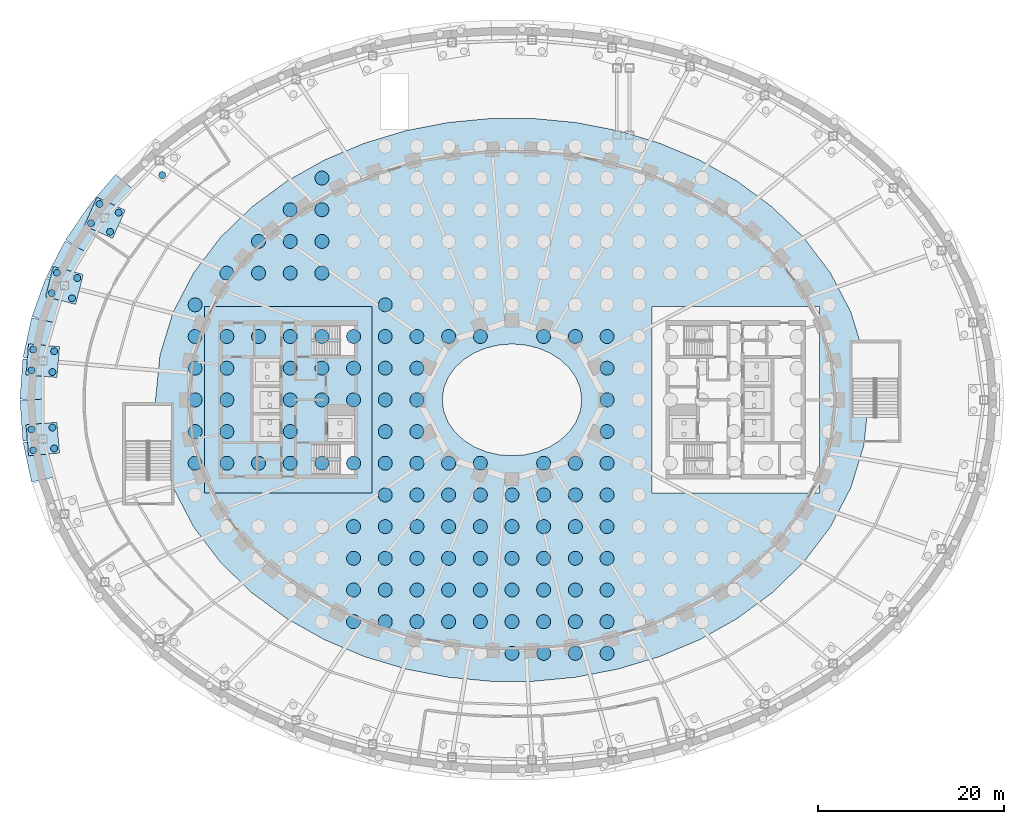
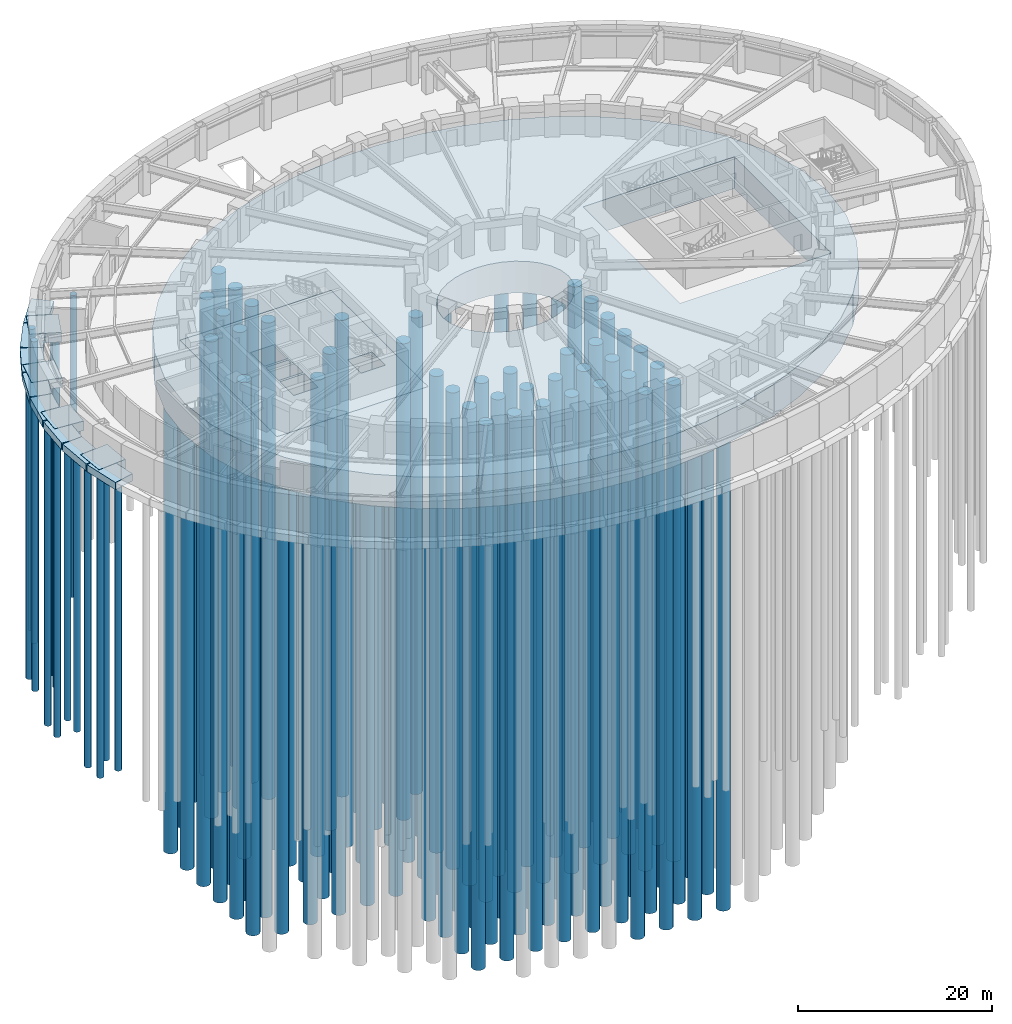
# One storey, part 2 of 19: 125 piles, 14 footings.
"""IFC4 building model written with IfcOpenShell, lengths in metres."""

import ifcopenshell
import ifcopenshell.guid

model = None  # the IFC model being written
_history = None  # IfcOwnerHistory: only IFC2X3 demands one
_inside = {}  # id of a spatial element -> (the spatial element, [elements in it])
_under = {}  # id of a project, library or spatial element -> (it, [spatial elements below it])
_declared = {}  # id of a project -> (the project, [libraries it declares])
_typed = {}  # id of a type object -> (the type object, [elements of that type])
_made_of = {}  # id of a material, layer set ... -> (it, [elements and type objects made of it])


def new_model(schema):
    """Start an empty IFC model of exactly this schema.

    Asked for "IFC4X3", IfcOpenShell would pick the latest addendum, in which some entities
    have other attributes; the version numbers below select the first issue.
    IFC2X3 requires an IfcOwnerHistory on every rooted entity: one is made here for all.
    """
    global model, _history
    if schema == "IFC4X3":
        model = ifcopenshell.file(schema_version=(4, 3, 0, 0))
    else:
        model = ifcopenshell.file(schema=schema)
    _inside.clear()
    _under.clear()
    _declared.clear()
    _typed.clear()
    _made_of.clear()
    _history = None
    if model.schema == "IFC2X3":
        org = make("IfcOrganization", Name="unknown")
        user = make(
            "IfcPersonAndOrganization",
            ThePerson=make("IfcPerson", FamilyName="unknown"),
            TheOrganization=org,
        )
        app = make(
            "IfcApplication",
            ApplicationDeveloper=org,
            Version="unknown",
            ApplicationFullName="unknown",
            ApplicationIdentifier="unknown",
        )
        _history = make(
            "IfcOwnerHistory",
            OwningUser=user,
            OwningApplication=app,
            ChangeAction="ADDED",
            CreationDate=0,
        )
    return model


def make(cls, **values):
    """One entity of the class cls with the attributes given. An attribute that is None is left unset."""
    return model.create_entity(
        cls, **{name: value for name, value in values.items() if value is not None}
    )


def rooted(cls, **values):
    """An entity with a GlobalId (a new one), such as an element, a storey or a relation."""
    return make(cls, GlobalId=ifcopenshell.guid.new(), OwnerHistory=_history, **values)


def si_unit(unit_type, name, prefix=None):
    """IfcSIUnit, for example si_unit("LENGTHUNIT", "METRE", prefix="MILLI")."""
    return make("IfcSIUnit", UnitType=unit_type, Prefix=prefix, Name=name)


def assignment(units):
    """IfcUnitAssignment: the units of a project."""
    return None if units is None else make("IfcUnitAssignment", Units=units)


def point(xyz):
    """IfcCartesianPoint."""
    return None if xyz is None else make("IfcCartesianPoint", Coordinates=xyz)


def direction(xyz):
    """IfcDirection."""
    return None if xyz is None else make("IfcDirection", DirectionRatios=xyz)


def frame(location, z_axis=None, x_axis=None):
    """IfcAxis2Placement3D, a coordinate frame: its origin and axes. An axis left out is left unset."""
    return make(
        "IfcAxis2Placement3D",
        Location=point(location),
        Axis=direction(z_axis),
        RefDirection=direction(x_axis),
    )


def frame_2d(location, x_axis=None):
    """IfcAxis2Placement2D, a coordinate frame in the plane: its origin and x axis."""
    return make(
        "IfcAxis2Placement2D", Location=point(location), RefDirection=direction(x_axis)
    )


def origin():
    """The frame at (0, 0, 0) with its axes left unset."""
    return frame((0.0, 0.0, 0.0))


def origin_2d():
    """The frame at (0, 0) in the plane with its x axis left unset."""
    return frame_2d((0.0, 0.0))


def place(relative_to, where):
    """IfcLocalPlacement: puts the frame where relative to a parent placement (None: the world)."""
    return make(
        "IfcLocalPlacement", PlacementRelTo=relative_to, RelativePlacement=where
    )


def context(
    kind, dimensions, precision=None, world=None, true_north=None, identifier=None
):
    """IfcGeometricRepresentationContext, for example the 3D "Model" context."""
    return make(
        "IfcGeometricRepresentationContext",
        ContextIdentifier=identifier,
        ContextType=kind,
        CoordinateSpaceDimension=dimensions,
        Precision=precision,
        WorldCoordinateSystem=world,
        TrueNorth=true_north,
    )


def subcontext(parent, identifier, kind, view, scale=None):
    """IfcGeometricRepresentationSubContext, for example "Body" below "Model"."""
    return make(
        "IfcGeometricRepresentationSubContext",
        ContextIdentifier=identifier,
        ContextType=kind,
        ParentContext=parent,
        TargetScale=scale,
        TargetView=view,
    )


def project(units=None, contexts=None):
    """IfcProject with its units and contexts."""
    return rooted(
        "IfcProject",
        Name="project",
        RepresentationContexts=contexts,
        UnitsInContext=assignment(units),
    )


def spatial(cls, under=None, at=None, **own):
    """A site, building, storey or space (cls), placed at a placement, below another one or the project."""
    s = rooted(cls, ObjectPlacement=at, **own)
    if under is not None:
        _under.setdefault(under.id(), (under, []))[1].append(s)
    return s


def polyline(points):
    """IfcPolyline through the points."""
    return make("IfcPolyline", Points=[point(p) for p in points])


def profile(cls, at=None, kind="AREA", **sizes):
    """A parametric profile (cls). Its sizes go by their IFC names, for example OverallWidth=200.0."""
    return make(cls, ProfileType=kind, Position=at, **sizes)


def circle(**sizes):
    """IfcCircleProfileDef."""
    return profile("IfcCircleProfileDef", **sizes)


def outline(outer, holes=None, kind="AREA"):
    """IfcArbitraryClosedProfileDef: a profile drawn as a closed curve; with holes, ...WithVoids."""
    if holes is None:
        return make("IfcArbitraryClosedProfileDef", ProfileType=kind, OuterCurve=outer)
    return make(
        "IfcArbitraryProfileDefWithVoids",
        ProfileType=kind,
        OuterCurve=outer,
        InnerCurves=holes,
    )


def extrude(swept, where, along, depth):
    """IfcExtrudedAreaSolid: the profile swept, set in the frame where, extruded along a direction by depth."""
    return make(
        "IfcExtrudedAreaSolid",
        SweptArea=swept,
        Position=where,
        ExtrudedDirection=direction(along),
        Depth=depth,
    )


def shape(context_of_items, identifier, shape_type, items):
    """IfcShapeRepresentation: the items that make up one representation, for example the "Body"."""
    return make(
        "IfcShapeRepresentation",
        ContextOfItems=context_of_items,
        RepresentationIdentifier=identifier,
        RepresentationType=shape_type,
        Items=items,
    )


def material(Name=None, Category=None):
    """IfcMaterial."""
    return make("IfcMaterial", Name=Name, Category=Category)


def layer(
    of_material, thickness, ventilated=None, Name=None, Category=None, Priority=None
):
    """IfcMaterialLayer: one layer of a wall or slab, of a material (None: an air gap)."""
    return make(
        "IfcMaterialLayer",
        Material=of_material,
        LayerThickness=thickness,
        IsVentilated=ventilated,
        Name=Name,
        Category=Category,
        Priority=Priority,
    )


def layer_set(layers, Name=None):
    """IfcMaterialLayerSet."""
    return make("IfcMaterialLayerSet", MaterialLayers=layers, LayerSetName=Name)


def material_profile(
    of_material, cross_section, Name=None, Category=None, Priority=None
):
    """IfcMaterialProfile: a cross section and its material."""
    return make(
        "IfcMaterialProfile",
        Name=Name,
        Material=of_material,
        Profile=cross_section,
        Priority=Priority,
        Category=Category,
    )


def profile_set(profiles, Name=None, composite=None):
    """IfcMaterialProfileSet."""
    return make(
        "IfcMaterialProfileSet",
        Name=Name,
        MaterialProfiles=profiles,
        CompositeProfile=composite,
    )


def made_of(thing, what):
    """Note that an element or type object is made of a material, layer set ...; save() writes the relation."""
    if what is not None:
        _made_of.setdefault(what.id(), (what, []))[1].append(thing)
    return thing


def type_object(cls, material=None, **own):
    """A type object (cls), such as IfcWallType, which elements share."""
    return made_of(rooted(cls, **own), material)


def element(
    cls,
    number,
    at=None,
    inside=None,
    cuts=None,
    type_object=None,
    material=None,
    context=None,
    identifier="Body",
    shape_type=None,
    held_by="IfcProductDefinitionShape",
    body=None,
    shapes=None,
    **own,
):
    """One element of the class cls, such as IfcWall. Its Tag is "e" and its number.

    at: its placement. inside: the storey or other place that contains it. cuts: it is an
    opening in that element (IfcRelVoidsElement). A single representation is given by context,
    identifier, shape_type and body (its items); several are given by shapes. held_by: the class
    of the entity that holds the representations. save() writes the other relations.
    """
    e = rooted(cls, Tag="e%d" % number, ObjectPlacement=at, **own)
    if body is not None:
        shapes = [shape(context, identifier, shape_type, body)]
    if shapes is not None:
        e.Representation = make(held_by, Representations=shapes)
    if inside is not None:
        _inside.setdefault(inside.id(), (inside, []))[1].append(e)
    if cuts is not None:
        rooted(
            "IfcRelVoidsElement", RelatingBuildingElement=cuts, RelatedOpeningElement=e
        )
    if type_object is not None:
        _typed.setdefault(type_object.id(), (type_object, []))[1].append(e)
    return made_of(e, material)


def aggregate(whole, parts):
    """IfcRelAggregates: a whole, such as a stair, and the parts it consists of."""
    return rooted("IfcRelAggregates", RelatingObject=whole, RelatedObjects=parts)


def save(model, path):
    """Write the relations noted so far, then the file.

    IfcRelAggregates (storeys below a building ...), IfcRelContainedInSpatialStructure (elements
    in a storey), IfcRelDefinesByType, IfcRelAssociatesMaterial and IfcRelDeclares: one each for
    every whole, place, type object, material and project.
    """
    for whole, parts in _under.values():
        aggregate(whole, parts)
    for where, things in _inside.values():
        rooted(
            "IfcRelContainedInSpatialStructure",
            RelatedElements=things,
            RelatingStructure=where,
        )
    for kind, things in _typed.values():
        rooted("IfcRelDefinesByType", RelatedObjects=things, RelatingType=kind)
    for what, things in _made_of.values():
        rooted("IfcRelAssociatesMaterial", RelatedObjects=things, RelatingMaterial=what)
    for by, libraries in _declared.values():
        rooted("IfcRelDeclares", RelatingContext=by, RelatedDefinitions=libraries)
    model.write(path)


model = new_model("IFC4")

# Units and contexts
model_context = context("Model", 3, precision=1e-05, world=origin(), true_north=direction((0.0, 1.0)))
body_context = subcontext(model_context, "Body", "Model", "MODEL_VIEW")
ifc_project = project(units=[si_unit("LENGTHUNIT", "METRE"), si_unit("AREAUNIT", "SQUARE_METRE"), si_unit("VOLUMEUNIT", "CUBIC_METRE"), si_unit("PLANEANGLEUNIT", "RADIAN"), si_unit("MASSUNIT", "GRAM", prefix="KILO")], contexts=[model_context])

# Site, building, storey
site_placement = place(None, origin())
site = spatial("IfcSite", under=ifc_project, at=site_placement, CompositionType="ELEMENT")
building_placement = place(site_placement, origin())
building = spatial("IfcBuilding", under=site, at=building_placement, Name="Noorbagh Ring Tower", CompositionType="ELEMENT")
storey_placement = place(building_placement, frame((0.0, 0.0, -8.39990234375)))
storey = spatial("IfcBuildingStorey", under=building, at=storey_placement, Name="B2", CompositionType="ELEMENT", Elevation=-8.39990234375)

# Footings
ifc_material_1 = material(Name="Concrete C50/60", Category="concrete")
ifc_layer_1 = layer(ifc_material_1, 1.199951171875)
ifc_layer_set_1 = layer_set([ifc_layer_1], Name="Concrete C50/60")
footing_type_1 = type_object("IfcFootingType", Name="GND-PODIUM-CAP", PredefinedType="PILE_CAP", material=ifc_layer_set_1)
footing_1_placement = place(storey_placement, frame((0.0, 0.0, -1.5)))
element("IfcFooting", 1, at=footing_1_placement, inside=storey, type_object=footing_type_1, Name="B2/cap/RP-15", PredefinedType="PILE_CAP", context=body_context, shape_type="SweptSolid", body=[
    extrude(outline(polyline([(-41.503662109375, 20.36328125), (-44.53466796875, 21.7177734375), (-45.88916015625, 18.6865234375), (-42.85791015625, 17.33203125), (-41.503662109375, 20.36328125)])), origin(), (0.0, 0.0, 1.0), 1.199951171875),
])
footing_2_placement = place(storey_placement, frame((0.0, 0.0, -1.5)))
element("IfcFooting", 2, at=footing_2_placement, inside=storey, type_object=footing_type_1, Name="B2/cap/RP-16", PredefinedType="PILE_CAP", context=body_context, shape_type="SweptSolid", body=[
    extrude(outline(polyline([(-46.003173828125, 13.46435546875), (-49.219970703125, 14.2861328125), (-50.04150390625, 11.0693359375), (-46.82470703125, 10.24755859375), (-46.003173828125, 13.46435546875)])), origin(), (0.0, 0.0, 1.0), 1.199951171875),
])
footing_3_placement = place(storey_placement, frame((0.0, 0.0, -1.5)))
element("IfcFooting", 3, at=footing_3_placement, inside=storey, type_object=footing_type_1, Name="B2/cap/RP-17", PredefinedType="PILE_CAP", context=body_context, shape_type="SweptSolid", body=[
    extrude(outline(polyline([(-48.55517578125, 5.708251953125), (-51.86376953125, 5.983642578125), (-52.13916015625, 2.67529296875), (-48.83056640625, 2.399658203125), (-48.55517578125, 5.708251953125)])), origin(), (0.0, 0.0, 1.0), 1.199951171875),
])
footing_4_placement = place(storey_placement, frame((0.0, 0.0, -1.5)))
element("IfcFooting", 4, at=footing_4_placement, inside=storey, type_object=footing_type_1, Name="B2/cap/RP-18", PredefinedType="PILE_CAP", context=body_context, shape_type="SweptSolid", body=[
    extrude(outline(polyline([(-48.83056640625, -2.399658203125), (-52.13916015625, -2.67529296875), (-51.86376953125, -5.983642578125), (-48.55517578125, -5.708251953125), (-48.83056640625, -2.399658203125)])), origin(), (0.0, 0.0, 1.0), 1.199951171875),
])

# Piles
ifc_material_2 = material(Name="Concrete C50/60", Category="concrete")
ifc_material_profile_1 = material_profile(ifc_material_2, circle(Radius=0.375, at=origin_2d()), Name="PILE750")
ifc_profile_set_1 = profile_set([ifc_material_profile_1], Name="Concrete C50/60")
pile_type_1 = type_object("IfcPileType", Name="GND-PODIUM-PILE", PredefinedType="BORED", material=ifc_profile_set_1)
for number, where, z_axis, x_axis, name in (
    (5, (-37.5341796875, 24.1171875, -1.400146484375), (0.0, 0.0, -1.0), (1.0, 0.0, 0.0), "B2/pile/RP-14-2"),
    (6, (-42.210205078125, 20.093017578125, -1.400146484375), (0.0, 0.0, -1.0), (1.0, 0.0, 0.0), "B2/pile/RP-15-1"),
    (7, (-43.128173828125, 18.038818359375, -1.400146484375), (0.0, 0.0, -1.0), (1.0, 0.0, 0.0), "B2/pile/RP-15-2"),
    (8, (-44.264404296875, 21.010986328125, -1.400146484375), (0.0, 0.0, -1.0), (1.0, 0.0, 0.0), "B2/pile/RP-15-3"),
    (9, (-45.182373046875, 18.956787109375, -1.400146484375), (0.0, 0.0, -1.0), (1.0, 0.0, 0.0), "B2/pile/RP-15-4"),
    (10, (-46.65380859375, 13.078369140625, -1.400146484375), (0.0, 0.0, -1.0), (1.0, 0.0, 0.0), "B2/pile/RP-16-1"),
    (11, (-47.210693359375, 10.8984375, -1.400146484375), (0.0, 0.0, -1.0), (1.0, 0.0, 0.0), "B2/pile/RP-16-2"),
    (12, (-48.833984375, 13.63525390625, -1.400146484375), (0.0, 0.0, -1.0), (1.0, 0.0, 0.0), "B2/pile/RP-16-3"),
    (13, (-49.390869140625, 11.455322265625, -1.400146484375), (0.0, 0.0, -1.0), (1.0, 0.0, 0.0), "B2/pile/RP-16-4"),
    (14, (-49.132568359375, 5.219482421875, -1.400146484375), (0.0, 0.0, -1.0), (1.0, 0.0, 0.0), "B2/pile/RP-17-1"),
    (15, (-49.3193359375, 2.977294921875, -1.400146484375), (0.0, 0.0, -1.0), (1.0, 0.0, 0.0), "B2/pile/RP-17-2"),
    (16, (-51.375, 5.40625, -1.400146484375), (0.0, 0.0, -1.0), (1.0, 0.0, 0.0), "B2/pile/RP-17-3"),
    (17, (-51.5615234375, 3.1640625, -1.400146484375), (0.0, 0.0, -1.0), (1.0, 0.0, 0.0), "B2/pile/RP-17-4"),
    (18, (-49.3193359375, -2.977294921875, -1.400146484375), (0.0, 0.0, -1.0), (1.0, 0.0, 0.0), "B2/pile/RP-18-1"),
    (19, (-49.132568359375, -5.219482421875, -1.400146484375), (0.0, 0.0, -1.0), (1.0, 0.0, 0.0), "B2/pile/RP-18-2"),
    (20, (-51.5615234375, -3.1640625, -1.400146484375), (0.0, 0.0, -1.0), (1.0, 0.0, 0.0), "B2/pile/RP-18-3"),
    (21, (-51.375, -5.40625, -1.400146484375), (0.0, 0.0, -1.0), (1.0, 0.0, 0.0), "B2/pile/RP-18-4"),
):
    element("IfcPile", number, at=place(storey_placement, frame(where, z_axis=z_axis, x_axis=x_axis)), inside=storey, type_object=pile_type_1, Name=name, PredefinedType="BORED", context=body_context, shape_type="SweptSolid", body=[
        extrude(circle(Radius=0.375, at=origin_2d()), origin(), (0.0, 0.0, 1.0), 38.0),
    ])
ifc_material_3 = material(Name="Concrete C40/50", Category="concrete")
ifc_material_profile_2 = material_profile(ifc_material_3, circle(Radius=0.75, at=origin_2d()), Name="PILE1500")
ifc_profile_set_2 = profile_set([ifc_material_profile_2], Name="Concrete C40/50")
pile_type_2 = type_object("IfcPileType", Name="STR-PILE", PredefinedType="BORED", material=ifc_profile_set_2)
for number, where, z_axis, x_axis, name in (
    (22, (-34.0, -6.800048828125, -4.2001953125), (0.0, 0.0, -1.0), (1.0, 0.0, 0.0), "B2/pile/002"),
    (23, (-34.0, -3.39990234375, -4.2001953125), (0.0, 0.0, -1.0), (1.0, 0.0, 0.0), "B2/pile/003"),
    (24, (-34.0, 0.0, -4.2001953125), (0.0, 0.0, -1.0), (1.0, 0.0, 0.0), "B2/pile/004"),
    (25, (-34.0, 3.39990234375, -4.2001953125), (0.0, 0.0, -1.0), (1.0, 0.0, 0.0), "B2/pile/005"),
    (26, (-34.0, 6.800048828125, -4.2001953125), (0.0, 0.0, -1.0), (1.0, 0.0, 0.0), "B2/pile/006"),
    (27, (-34.0, 10.199951171875, -4.2001953125), (0.0, 0.0, -1.0), (1.0, 0.0, 0.0), "B2/pile/007"),
    (28, (-30.60009765625, 13.60009765625, -4.2001953125), (0.0, 0.0, -1.0), (1.0, 0.0, 0.0), "B2/pile/009"),
    (29, (-27.199951171875, 13.60009765625, -4.2001953125), (0.0, 0.0, -1.0), (1.0, 0.0, 0.0), "B2/pile/012"),
    (30, (-27.199951171875, 17.0, -4.2001953125), (0.0, 0.0, -1.0), (1.0, 0.0, 0.0), "B2/pile/013"),
    (31, (-23.800048828125, 13.60009765625, -4.2001953125), (0.0, 0.0, -1.0), (1.0, 0.0, 0.0), "B2/pile/017"),
    (32, (-23.800048828125, 17.0, -4.2001953125), (0.0, 0.0, -1.0), (1.0, 0.0, 0.0), "B2/pile/018"),
    (33, (-23.800048828125, 20.39990234375, -4.2001953125), (0.0, 0.0, -1.0), (1.0, 0.0, 0.0), "B2/pile/019"),
    (34, (-20.39990234375, 13.60009765625, -4.2001953125), (0.0, 0.0, -1.0), (1.0, 0.0, 0.0), "B2/pile/024"),
    (35, (-20.39990234375, 17.0, -4.2001953125), (0.0, 0.0, -1.0), (1.0, 0.0, 0.0), "B2/pile/025"),
    (36, (-20.39990234375, 20.39990234375, -4.2001953125), (0.0, 0.0, -1.0), (1.0, 0.0, 0.0), "B2/pile/026"),
    (37, (-20.39990234375, 23.800048828125, -4.2001953125), (0.0, 0.0, -1.0), (1.0, 0.0, 0.0), "B2/pile/027"),
    (38, (-17.0, -23.800048828125, -4.2001953125), (0.0, 0.0, -1.0), (1.0, 0.0, 0.0), "B2/pile/028"),
    (39, (-17.0, -20.39990234375, -4.2001953125), (0.0, 0.0, -1.0), (1.0, 0.0, 0.0), "B2/pile/029"),
    (40, (-17.0, -17.0, -4.2001953125), (0.0, 0.0, -1.0), (1.0, 0.0, 0.0), "B2/pile/030"),
    (41, (-17.0, -13.60009765625, -4.2001953125), (0.0, 0.0, -1.0), (1.0, 0.0, 0.0), "B2/pile/031"),
    (42, (-13.60009765625, -23.800048828125, -4.2001953125), (0.0, 0.0, -1.0), (1.0, 0.0, 0.0), "B2/pile/037"),
    (43, (-13.60009765625, -20.39990234375, -4.2001953125), (0.0, 0.0, -1.0), (1.0, 0.0, 0.0), "B2/pile/038"),
    (44, (-13.60009765625, -17.0, -4.2001953125), (0.0, 0.0, -1.0), (1.0, 0.0, 0.0), "B2/pile/039"),
    (45, (-13.60009765625, -13.60009765625, -4.2001953125), (0.0, 0.0, -1.0), (1.0, 0.0, 0.0), "B2/pile/040"),
    (46, (-13.60009765625, -10.199951171875, -4.2001953125), (0.0, 0.0, -1.0), (1.0, 0.0, 0.0), "B2/pile/041"),
    (47, (-13.60009765625, -6.800048828125, -4.2001953125), (0.0, 0.0, -1.0), (1.0, 0.0, 0.0), "B2/pile/042"),
    (48, (-13.60009765625, -3.39990234375, -4.2001953125), (0.0, 0.0, -1.0), (1.0, 0.0, 0.0), "B2/pile/043"),
    (49, (-13.60009765625, 0.0, -4.2001953125), (0.0, 0.0, -1.0), (1.0, 0.0, 0.0), "B2/pile/044"),
    (50, (-13.60009765625, 3.39990234375, -4.2001953125), (0.0, 0.0, -1.0), (1.0, 0.0, 0.0), "B2/pile/045"),
    (51, (-13.60009765625, 6.800048828125, -4.2001953125), (0.0, 0.0, -1.0), (1.0, 0.0, 0.0), "B2/pile/046"),
    (52, (-13.60009765625, 10.199951171875, -4.2001953125), (0.0, 0.0, -1.0), (1.0, 0.0, 0.0), "B2/pile/047"),
    (53, (-10.199951171875, -23.800048828125, -4.2001953125), (0.0, 0.0, -1.0), (1.0, 0.0, 0.0), "B2/pile/054"),
    (54, (-10.199951171875, -20.39990234375, -4.2001953125), (0.0, 0.0, -1.0), (1.0, 0.0, 0.0), "B2/pile/055"),
    (55, (-10.199951171875, -17.0, -4.2001953125), (0.0, 0.0, -1.0), (1.0, 0.0, 0.0), "B2/pile/056"),
    (56, (-10.199951171875, -13.60009765625, -4.2001953125), (0.0, 0.0, -1.0), (1.0, 0.0, 0.0), "B2/pile/057"),
    (57, (-10.199951171875, -10.199951171875, -4.2001953125), (0.0, 0.0, -1.0), (1.0, 0.0, 0.0), "B2/pile/058"),
    (58, (-10.199951171875, -6.800048828125, -4.2001953125), (0.0, 0.0, -1.0), (1.0, 0.0, 0.0), "B2/pile/059"),
    (59, (-10.199951171875, -3.39990234375, -4.2001953125), (0.0, 0.0, -1.0), (1.0, 0.0, 0.0), "B2/pile/060"),
    (60, (-10.199951171875, 0.0, -4.2001953125), (0.0, 0.0, -1.0), (1.0, 0.0, 0.0), "B2/pile/061"),
    (61, (-10.199951171875, 3.39990234375, -4.2001953125), (0.0, 0.0, -1.0), (1.0, 0.0, 0.0), "B2/pile/062"),
    (62, (-10.199951171875, 6.800048828125, -4.2001953125), (0.0, 0.0, -1.0), (1.0, 0.0, 0.0), "B2/pile/063"),
    (63, (-6.800048828125, -23.800048828125, -4.2001953125), (0.0, 0.0, -1.0), (1.0, 0.0, 0.0), "B2/pile/071"),
    (64, (-6.800048828125, -20.39990234375, -4.2001953125), (0.0, 0.0, -1.0), (1.0, 0.0, 0.0), "B2/pile/072"),
    (65, (-6.800048828125, -17.0, -4.2001953125), (0.0, 0.0, -1.0), (1.0, 0.0, 0.0), "B2/pile/073"),
    (66, (-6.800048828125, -13.60009765625, -4.2001953125), (0.0, 0.0, -1.0), (1.0, 0.0, 0.0), "B2/pile/074"),
    (67, (-6.800048828125, -10.199951171875, -4.2001953125), (0.0, 0.0, -1.0), (1.0, 0.0, 0.0), "B2/pile/075"),
    (68, (-6.800048828125, -6.800048828125, -4.2001953125), (0.0, 0.0, -1.0), (1.0, 0.0, 0.0), "B2/pile/076"),
    (69, (-6.800048828125, 6.800048828125, -4.2001953125), (0.0, 0.0, -1.0), (1.0, 0.0, 0.0), "B2/pile/077"),
    (70, (-3.39990234375, -23.800048828125, -4.2001953125), (0.0, 0.0, -1.0), (1.0, 0.0, 0.0), "B2/pile/085"),
    (71, (-3.39990234375, -20.39990234375, -4.2001953125), (0.0, 0.0, -1.0), (1.0, 0.0, 0.0), "B2/pile/086"),
    (72, (-3.39990234375, -17.0, -4.2001953125), (0.0, 0.0, -1.0), (1.0, 0.0, 0.0), "B2/pile/087"),
    (73, (-3.39990234375, -13.60009765625, -4.2001953125), (0.0, 0.0, -1.0), (1.0, 0.0, 0.0), "B2/pile/088"),
    (74, (-3.39990234375, -10.199951171875, -4.2001953125), (0.0, 0.0, -1.0), (1.0, 0.0, 0.0), "B2/pile/089"),
    (75, (-3.39990234375, -6.800048828125, -4.2001953125), (0.0, 0.0, -1.0), (1.0, 0.0, 0.0), "B2/pile/090"),
    (76, (-3.39990234375, 6.800048828125, -4.2001953125), (0.0, 0.0, -1.0), (1.0, 0.0, 0.0), "B2/pile/091"),
    (77, (0.0, -27.199951171875, -4.2001953125), (0.0, 0.0, -1.0), (1.0, 0.0, 0.0), "B2/pile/098"),
    (78, (0.0, -23.800048828125, -4.2001953125), (0.0, 0.0, -1.0), (1.0, 0.0, 0.0), "B2/pile/099"),
    (79, (0.0, -20.39990234375, -4.2001953125), (0.0, 0.0, -1.0), (1.0, 0.0, 0.0), "B2/pile/100"),
    (80, (0.0, -17.0, -4.2001953125), (0.0, 0.0, -1.0), (1.0, 0.0, 0.0), "B2/pile/101"),
    (81, (0.0, -13.60009765625, -4.2001953125), (0.0, 0.0, -1.0), (1.0, 0.0, 0.0), "B2/pile/102"),
    (82, (0.0, -10.199951171875, -4.2001953125), (0.0, 0.0, -1.0), (1.0, 0.0, 0.0), "B2/pile/103"),
    (83, (3.39990234375, -27.199951171875, -4.2001953125), (0.0, 0.0, -1.0), (1.0, 0.0, 0.0), "B2/pile/110"),
    (84, (3.39990234375, -23.800048828125, -4.2001953125), (0.0, 0.0, -1.0), (1.0, 0.0, 0.0), "B2/pile/111"),
    (85, (3.39990234375, -20.39990234375, -4.2001953125), (0.0, 0.0, -1.0), (1.0, 0.0, 0.0), "B2/pile/112"),
    (86, (3.39990234375, -17.0, -4.2001953125), (0.0, 0.0, -1.0), (1.0, 0.0, 0.0), "B2/pile/113"),
    (87, (3.39990234375, -13.60009765625, -4.2001953125), (0.0, 0.0, -1.0), (1.0, 0.0, 0.0), "B2/pile/114"),
    (88, (3.39990234375, -10.199951171875, -4.2001953125), (0.0, 0.0, -1.0), (1.0, 0.0, 0.0), "B2/pile/115"),
    (89, (3.39990234375, -6.800048828125, -4.2001953125), (0.0, 0.0, -1.0), (1.0, 0.0, 0.0), "B2/pile/116"),
    (90, (3.39990234375, 6.800048828125, -4.2001953125), (0.0, 0.0, -1.0), (1.0, 0.0, 0.0), "B2/pile/117"),
    (91, (6.800048828125, -27.199951171875, -4.2001953125), (0.0, 0.0, -1.0), (1.0, 0.0, 0.0), "B2/pile/124"),
    (92, (6.800048828125, -23.800048828125, -4.2001953125), (0.0, 0.0, -1.0), (1.0, 0.0, 0.0), "B2/pile/125"),
    (93, (6.800048828125, -20.39990234375, -4.2001953125), (0.0, 0.0, -1.0), (1.0, 0.0, 0.0), "B2/pile/126"),
    (94, (6.800048828125, -17.0, -4.2001953125), (0.0, 0.0, -1.0), (1.0, 0.0, 0.0), "B2/pile/127"),
    (95, (6.800048828125, -13.60009765625, -4.2001953125), (0.0, 0.0, -1.0), (1.0, 0.0, 0.0), "B2/pile/128"),
    (96, (6.800048828125, -10.199951171875, -4.2001953125), (0.0, 0.0, -1.0), (1.0, 0.0, 0.0), "B2/pile/129"),
    (97, (6.800048828125, -6.800048828125, -4.2001953125), (0.0, 0.0, -1.0), (1.0, 0.0, 0.0), "B2/pile/130"),
    (98, (6.800048828125, 6.800048828125, -4.2001953125), (0.0, 0.0, -1.0), (1.0, 0.0, 0.0), "B2/pile/131"),
    (99, (10.199951171875, -27.199951171875, -4.2001953125), (0.0, 0.0, -1.0), (1.0, 0.0, 0.0), "B2/pile/138"),
    (100, (10.199951171875, -23.800048828125, -4.2001953125), (0.0, 0.0, -1.0), (1.0, 0.0, 0.0), "B2/pile/139"),
    (101, (10.199951171875, -20.39990234375, -4.2001953125), (0.0, 0.0, -1.0), (1.0, 0.0, 0.0), "B2/pile/140"),
    (102, (10.199951171875, -17.0, -4.2001953125), (0.0, 0.0, -1.0), (1.0, 0.0, 0.0), "B2/pile/141"),
    (103, (10.199951171875, -13.60009765625, -4.2001953125), (0.0, 0.0, -1.0), (1.0, 0.0, 0.0), "B2/pile/142"),
    (104, (10.199951171875, -10.199951171875, -4.2001953125), (0.0, 0.0, -1.0), (1.0, 0.0, 0.0), "B2/pile/143"),
    (105, (10.199951171875, -6.800048828125, -4.2001953125), (0.0, 0.0, -1.0), (1.0, 0.0, 0.0), "B2/pile/144"),
    (106, (10.199951171875, -3.39990234375, -4.2001953125), (0.0, 0.0, -1.0), (1.0, 0.0, 0.0), "B2/pile/145"),
    (107, (10.199951171875, 0.0, -4.2001953125), (0.0, 0.0, -1.0), (1.0, 0.0, 0.0), "B2/pile/146"),
    (108, (10.199951171875, 3.39990234375, -4.2001953125), (0.0, 0.0, -1.0), (1.0, 0.0, 0.0), "B2/pile/147"),
    (109, (10.199951171875, 6.800048828125, -4.2001953125), (0.0, 0.0, -1.0), (1.0, 0.0, 0.0), "B2/pile/148"),
    (110, (-30.60009765625, -6.800048828125, -5.2001953125), (0.0, 0.0, -1.0), (1.0, 0.0, 0.0), "B2/pile/207"),
    (111, (-30.60009765625, -3.39990234375, -5.2001953125), (0.0, 0.0, -1.0), (1.0, 0.0, 0.0), "B2/pile/208"),
    (112, (-30.60009765625, 0.0, -5.2001953125), (0.0, 0.0, -1.0), (1.0, 0.0, 0.0), "B2/pile/209"),
    (113, (-30.60009765625, 3.39990234375, -5.2001953125), (0.0, 0.0, -1.0), (1.0, 0.0, 0.0), "B2/pile/210"),
    (114, (-30.60009765625, 6.800048828125, -5.2001953125), (0.0, 0.0, -1.0), (1.0, 0.0, 0.0), "B2/pile/211"),
    (115, (-27.199951171875, -6.800048828125, -5.2001953125), (0.0, 0.0, -1.0), (1.0, 0.0, 0.0), "B2/pile/212"),
    (116, (-27.199951171875, 6.800048828125, -5.2001953125), (0.0, 0.0, -1.0), (1.0, 0.0, 0.0), "B2/pile/213"),
    (117, (-23.800048828125, -6.800048828125, -5.2001953125), (0.0, 0.0, -1.0), (1.0, 0.0, 0.0), "B2/pile/214"),
    (118, (-23.800048828125, -3.39990234375, -5.2001953125), (0.0, 0.0, -1.0), (1.0, 0.0, 0.0), "B2/pile/215"),
    (119, (-23.800048828125, 0.0, -5.2001953125), (0.0, 0.0, -1.0), (1.0, 0.0, 0.0), "B2/pile/216"),
    (120, (-23.800048828125, 3.39990234375, -5.2001953125), (0.0, 0.0, -1.0), (1.0, 0.0, 0.0), "B2/pile/217"),
    (121, (-23.800048828125, 6.800048828125, -5.2001953125), (0.0, 0.0, -1.0), (1.0, 0.0, 0.0), "B2/pile/218"),
    (122, (-20.39990234375, -6.800048828125, -5.2001953125), (0.0, 0.0, -1.0), (1.0, 0.0, 0.0), "B2/pile/219"),
    (123, (-20.39990234375, 0.0, -5.2001953125), (0.0, 0.0, -1.0), (1.0, 0.0, 0.0), "B2/pile/220"),
    (124, (-20.39990234375, 3.39990234375, -5.2001953125), (0.0, 0.0, -1.0), (1.0, 0.0, 0.0), "B2/pile/221"),
    (125, (-20.39990234375, 6.800048828125, -5.2001953125), (0.0, 0.0, -1.0), (1.0, 0.0, 0.0), "B2/pile/222"),
    (126, (-17.0, -6.800048828125, -5.2001953125), (0.0, 0.0, -1.0), (1.0, 0.0, 0.0), "B2/pile/223"),
    (127, (-17.0, 0.0, -5.2001953125), (0.0, 0.0, -1.0), (1.0, 0.0, 0.0), "B2/pile/224"),
    (128, (-17.0, 3.39990234375, -5.2001953125), (0.0, 0.0, -1.0), (1.0, 0.0, 0.0), "B2/pile/225"),
    (129, (-17.0, 6.800048828125, -5.2001953125), (0.0, 0.0, -1.0), (1.0, 0.0, 0.0), "B2/pile/226"),
):
    element("IfcPile", number, at=place(storey_placement, frame(where, z_axis=z_axis, x_axis=x_axis)), inside=storey, type_object=pile_type_2, Name=name, PredefinedType="BORED", context=body_context, shape_type="SweptSolid", body=[
        extrude(circle(Radius=0.75, at=origin_2d()), origin(), (0.0, 0.0, 1.0), 60.0),
    ])

# Footings
ifc_material_4 = material(Name="Concrete C50/60", Category="concrete")
ifc_layer_2 = layer(ifc_material_4, 5.0)
ifc_layer_set_2 = layer_set([ifc_layer_2], Name="Concrete C50/60")
footing_type_2 = type_object("IfcFootingType", Name="STR-RAFT-CORE", PredefinedType="USERDEFINED", material=ifc_layer_set_2)
footing_5_placement = place(storey_placement, frame((0.0, 0.0, -5.300048828125)))
element("IfcFooting", 130, at=footing_5_placement, inside=storey, type_object=footing_type_2, Name="B2/raft/W", ObjectType="CORE RAFT", PredefinedType="USERDEFINED", context=body_context, shape_type="SweptSolid", body=[
    extrude(outline(polyline([(-15.0, -10.0), (-15.0, 10.0), (-33.0, 10.0), (-33.0, -10.0), (-15.0, -10.0)]), holes=[polyline([(-19.800048828125, -1.699951171875), (-16.89990234375, -1.699951171875), (-16.89990234375, -4.449951171875), (-19.800048828125, -4.449951171875), (-19.800048828125, -1.699951171875)]), polyline([(-27.800048828125, -1.60009765625), (-24.89990234375, -1.60009765625), (-24.89990234375, -4.449951171875), (-27.800048828125, -4.449951171875), (-27.800048828125, -1.60009765625)]), polyline([(-27.800048828125, 1.35009765625), (-24.89990234375, 1.35009765625), (-24.89990234375, -1.35009765625), (-27.800048828125, -1.35009765625), (-27.800048828125, 1.35009765625)]), polyline([(-27.800048828125, 4.449951171875), (-24.89990234375, 4.449951171875), (-24.89990234375, 1.60009765625), (-27.800048828125, 1.60009765625), (-27.800048828125, 4.449951171875)])]), origin(), (0.0, 0.0, 1.0), 5.0),
])
ifc_material_5 = material(Name="Concrete C50/60", Category="concrete")
ifc_layer_3 = layer(ifc_material_5, 4.0)
ifc_layer_set_3 = layer_set([ifc_layer_3], Name="Concrete C50/60")
footing_type_3 = type_object("IfcFootingType", Name="STR-RAFT-RING", PredefinedType="USERDEFINED", material=ifc_layer_set_3)
footing_6_placement = place(storey_placement, frame((0.0, 0.0, -4.300048828125)))
element("IfcFooting", 131, at=footing_6_placement, inside=storey, type_object=footing_type_3, Name="B2/raft/1", ObjectType="RAFT", PredefinedType="USERDEFINED", context=body_context, shape_type="SweptSolid", body=[
    extrude(outline(polyline([(36.372314453125, -9.40478515625), (37.777587890625, -4.80419921875), (38.261474609375, 0.0), (37.777587890625, 4.80419921875), (36.372314453125, 9.40478515625), (34.162841796875, 13.642822265625), (31.2978515625, 17.423095703125), (27.9208984375, 20.703857421875), (24.155029296875, 23.477783203125), (20.09814453125, 25.7548828125), (15.82763671875, 27.550537109375), (11.405517578125, 28.88134765625), (6.882080078125, 29.7607421875), (2.30029296875, 30.197998046875), (-2.30029296875, 30.197998046875), (-6.882080078125, 29.7607421875), (-11.405517578125, 28.88134765625), (-15.82763671875, 27.550537109375), (-20.09814453125, 25.7548828125), (-24.155029296875, 23.477783203125), (-27.9208984375, 20.703857421875), (-31.2978515625, 17.423095703125), (-34.162841796875, 13.642822265625), (-36.372314453125, 9.40478515625), (-37.777587890625, 4.80419921875), (-38.261474609375, 0.0), (-37.777587890625, -4.80419921875), (-36.372314453125, -9.40478515625), (-34.162841796875, -13.642822265625), (-31.2978515625, -17.423095703125), (-27.9208984375, -20.703857421875), (-24.155029296875, -23.477783203125), (-20.09814453125, -25.7548828125), (-15.82763671875, -27.550537109375), (-11.405517578125, -28.88134765625), (-6.882080078125, -29.7607421875), (-2.30029296875, -30.197998046875), (2.30029296875, -30.197998046875), (6.882080078125, -29.7607421875), (11.405517578125, -28.88134765625), (15.82763671875, -27.550537109375), (20.09814453125, -25.7548828125), (24.155029296875, -23.477783203125), (27.9208984375, -20.703857421875), (31.2978515625, -17.423095703125), (34.162841796875, -13.642822265625), (36.372314453125, -9.40478515625)]), holes=[polyline([(6.862548828125, 2.389404296875), (7.328369140625, 1.224365234375), (7.4873046875, 0.0), (7.328369140625, -1.224365234375), (6.862548828125, -2.389404296875), (6.12255859375, -3.442138671875), (5.154541015625, -4.3408203125), (4.01025390625, -5.057861328125), (2.740234375, -5.5771484375), (1.3896484375, -5.890869140625), (0.0, -5.995849609375), (-1.3896484375, -5.890869140625), (-2.740234375, -5.5771484375), (-4.01025390625, -5.057861328125), (-5.154541015625, -4.3408203125), (-6.12255859375, -3.442138671875), (-6.862548828125, -2.389404296875), (-7.328369140625, -1.224365234375), (-7.4873046875, 0.0), (-7.328369140625, 1.224365234375), (-6.862548828125, 2.389404296875), (-6.12255859375, 3.442138671875), (-5.154541015625, 4.3408203125), (-4.01025390625, 5.057861328125), (-2.740234375, 5.5771484375), (-1.3896484375, 5.890869140625), (0.0, 5.995849609375), (1.3896484375, 5.890869140625), (2.740234375, 5.5771484375), (4.01025390625, 5.057861328125), (5.154541015625, 4.3408203125), (6.12255859375, 3.442138671875), (6.862548828125, 2.389404296875)]), polyline([(-15.0, 10.0), (-15.0, -10.0), (-33.0, -10.0), (-33.0, 10.0), (-15.0, 10.0)]), polyline([(33.0, -10.0), (15.0, -10.0), (15.0, 10.0), (33.0, 10.0), (33.0, -10.0)])]), origin(), (0.0, 0.0, 1.0), 4.0),
])
ifc_material_6 = material(Name="Concrete C40/50", Category="concrete")
ifc_layer_4 = layer(ifc_material_6, 0.89990234375)
ifc_layer_set_4 = layer_set([ifc_layer_4], Name="Concrete C40/50")
footing_type_4 = type_object("IfcFootingType", Name="STR-RETAINING-FOOTING", PredefinedType="STRIP_FOOTING", material=ifc_layer_set_4)
footing_7_placement = place(storey_placement, frame((0.0, 0.0, -1.2001953125)))
element("IfcFooting", 132, at=footing_7_placement, inside=storey, type_object=footing_type_4, Name="B2/footing/ret-28", PredefinedType="STRIP_FOOTING", context=body_context, shape_type="SweptSolid", body=[
    extrude(outline(polyline([(-45.3623046875, 20.885009765625), (-42.527099609375, 24.187744140625), (-40.7060546875, 22.62451171875), (-42.31640625, 20.74853515625), (-44.526611328125, 21.736083984375), (-44.5283203125, 21.73681640625), (-44.5302734375, 21.7373046875), (-44.5322265625, 21.737548828125), (-44.5341796875, 21.73779296875), (-44.5361328125, 21.73779296875), (-44.5380859375, 21.7373046875), (-44.5400390625, 21.737060546875), (-44.5419921875, 21.736328125), (-44.543701171875, 21.735595703125), (-44.54541015625, 21.734619140625), (-44.547119140625, 21.7333984375), (-44.548583984375, 21.732177734375), (-44.5498046875, 21.730712890625), (-44.551025390625, 21.729248046875), (-44.552001953125, 21.7275390625), (-44.552978515625, 21.725830078125), (-45.048828125, 20.615966796875), (-45.3623046875, 20.885009765625)])), origin(), (0.0, 0.0, 1.0), 0.900146484375),
])
footing_8_placement = place(storey_placement, frame((0.0, 0.0, -1.2001953125)))
element("IfcFooting", 133, at=footing_8_placement, inside=storey, type_object=footing_type_4, Name="B2/footing/ret-29", PredefinedType="STRIP_FOOTING", context=body_context, shape_type="SweptSolid", body=[
    extrude(outline(polyline([(-47.890869140625, 17.18359375), (-45.44384765625, 20.77880859375), (-45.085205078125, 20.53466796875), (-45.907470703125, 18.694580078125), (-45.908203125, 18.69287109375), (-45.90869140625, 18.69091796875), (-45.908935546875, 18.689208984375), (-45.9091796875, 18.68701171875), (-45.9091796875, 18.68505859375), (-45.908935546875, 18.68310546875), (-45.908447265625, 18.681396484375), (-45.90771484375, 18.679443359375), (-45.906982421875, 18.677490234375), (-45.906005859375, 18.67578125), (-45.90478515625, 18.67431640625), (-45.90380859375, 18.6728515625), (-45.90234375, 18.67138671875), (-45.900634765625, 18.670166015625), (-45.899169921875, 18.669189453125), (-45.897216796875, 18.668212890625), (-44.4248046875, 18.010498046875), (-45.906982421875, 15.8330078125), (-47.890869140625, 17.18359375)])), origin(), (0.0, 0.0, 1.0), 0.900146484375),
])
footing_9_placement = place(storey_placement, frame((0.0, 0.0, -1.2001953125)))
element("IfcFooting", 134, at=footing_9_placement, inside=storey, type_object=footing_type_4, Name="B2/footing/ret-30", PredefinedType="STRIP_FOOTING", context=body_context, shape_type="SweptSolid", body=[
    extrude(outline(polyline([(-49.96044921875, 13.19970703125), (-47.96484375, 17.0595703125), (-45.8330078125, 15.957275390625), (-46.98193359375, 13.735107421875), (-49.21484375, 14.305419921875), (-49.216796875, 14.305908203125), (-49.21875, 14.305908203125), (-49.220703125, 14.305908203125), (-49.22265625, 14.305908203125), (-49.224609375, 14.305419921875), (-49.2265625, 14.304931640625), (-49.228271484375, 14.30419921875), (-49.22998046875, 14.30322265625), (-49.231689453125, 14.302001953125), (-49.233154296875, 14.30078125), (-49.234619140625, 14.299560546875), (-49.23583984375, 14.298095703125), (-49.237060546875, 14.29638671875), (-49.23779296875, 14.294677734375), (-49.23876953125, 14.29296875), (-49.2392578125, 14.291015625), (-49.569580078125, 12.997802734375), (-49.96044921875, 13.19970703125)])), origin(), (0.0, 0.0, 1.0), 0.900146484375),
])
footing_10_placement = place(storey_placement, frame((0.0, 0.0, -1.2001953125)))
element("IfcFooting", 135, at=footing_10_placement, inside=storey, type_object=footing_type_4, Name="B2/footing/ret-31", PredefinedType="STRIP_FOOTING", context=body_context, shape_type="SweptSolid", body=[
    extrude(outline(polyline([(-51.50390625, 8.977294921875), (-50.022216796875, 13.05810546875), (-49.593994140625, 12.902587890625), (-50.060791015625, 11.07421875), (-50.061279296875, 11.072265625), (-50.0615234375, 11.0703125), (-50.0615234375, 11.068359375), (-50.061279296875, 11.06640625), (-50.06103515625, 11.064453125), (-50.060302734375, 11.062744140625), (-50.059814453125, 11.060791015625), (-50.05859375, 11.05908203125), (-50.0576171875, 11.0576171875), (-50.056396484375, 11.055908203125), (-50.054931640625, 11.0546875), (-50.053466796875, 11.05322265625), (-50.052001953125, 11.05224609375), (-50.05029296875, 11.05126953125), (-50.04833984375, 11.050537109375), (-50.04638671875, 11.0498046875), (-48.35498046875, 10.617919921875), (-49.248046875, 8.158203125), (-51.50390625, 8.977294921875)])), origin(), (0.0, 0.0, 1.0), 0.900146484375),
])
footing_11_placement = place(storey_placement, frame((0.0, 0.0, -1.2001953125)))
element("IfcFooting", 136, at=footing_11_placement, inside=storey, type_object=footing_type_4, Name="B2/footing/ret-32", PredefinedType="STRIP_FOOTING", context=body_context, shape_type="SweptSolid", body=[
    extrude(outline(polyline([(-52.462890625, 4.5791015625), (-51.549072265625, 8.820556640625), (-49.202880859375, 8.31494140625), (-49.739013671875, 5.826904296875), (-51.862060546875, 6.003662109375), (-51.864013671875, 6.003662109375), (-51.865966796875, 6.003662109375), (-51.867919921875, 6.00341796875), (-51.869873046875, 6.002685546875), (-51.87158203125, 6.002197265625), (-51.873291015625, 6.001220703125), (-51.875, 6.000244140625), (-51.876708984375, 5.9990234375), (-51.8779296875, 5.997802734375), (-51.87939453125, 5.99609375), (-51.880615234375, 5.99462890625), (-51.88134765625, 5.992919921875), (-51.882080078125, 5.9912109375), (-51.8828125, 5.9892578125), (-51.88330078125, 5.9873046875), (-51.883544921875, 5.9853515625), (-52.0087890625, 4.481201171875), (-52.462890625, 4.5791015625)])), origin(), (0.0, 0.0, 1.0), 0.900146484375),
])
footing_12_placement = place(storey_placement, frame((0.0, 0.0, -1.2001953125)))
element("IfcFooting", 137, at=footing_12_placement, inside=storey, type_object=footing_type_4, Name="B2/footing/ret-33", PredefinedType="STRIP_FOOTING", context=body_context, shape_type="SweptSolid", body=[
    extrude(outline(polyline([(-52.7958984375, 0.08544921875), (-52.48681640625, 4.411865234375), (-52.017333984375, 4.37841796875), (-52.158935546875, 2.6767578125), (-52.1591796875, 2.6748046875), (-52.158935546875, 2.6728515625), (-52.15869140625, 2.6708984375), (-52.158203125, 2.669189453125), (-52.157470703125, 2.667236328125), (-52.156494140625, 2.66552734375), (-52.155517578125, 2.663818359375), (-52.154296875, 2.662353515625), (-52.153076171875, 2.660888671875), (-52.151611328125, 2.659423828125), (-52.14990234375, 2.658447265625), (-52.148193359375, 2.657470703125), (-52.146484375, 2.656494140625), (-52.14453125, 2.656005859375), (-52.142578125, 2.655517578125), (-52.140869140625, 2.6552734375), (-50.2177734375, 2.4951171875), (-50.402099609375, -0.08544921875), (-52.7958984375, 0.08544921875)])), origin(), (0.0, 0.0, 1.0), 0.900146484375),
])
footing_13_placement = place(storey_placement, frame((0.0, 0.0, -1.2001953125)))
element("IfcFooting", 138, at=footing_13_placement, inside=storey, type_object=footing_type_4, Name="B2/footing/ret-34", PredefinedType="STRIP_FOOTING", context=body_context, shape_type="SweptSolid", body=[
    extrude(outline(polyline([(-52.48681640625, -4.411865234375), (-52.7958984375, -0.08544921875), (-50.402099609375, 0.08544921875), (-50.2177734375, -2.4951171875), (-52.140869140625, -2.6552734375), (-52.142578125, -2.655517578125), (-52.14453125, -2.656005859375), (-52.146484375, -2.656494140625), (-52.148193359375, -2.657470703125), (-52.14990234375, -2.658447265625), (-52.151611328125, -2.659423828125), (-52.153076171875, -2.660888671875), (-52.154296875, -2.662353515625), (-52.155517578125, -2.663818359375), (-52.156494140625, -2.66552734375), (-52.157470703125, -2.667236328125), (-52.158203125, -2.669189453125), (-52.15869140625, -2.6708984375), (-52.158935546875, -2.6728515625), (-52.1591796875, -2.6748046875), (-52.158935546875, -2.6767578125), (-52.017333984375, -4.37841796875), (-52.48681640625, -4.411865234375)])), origin(), (0.0, 0.0, 1.0), 0.900146484375),
])
footing_14_placement = place(storey_placement, frame((0.0, 0.0, -1.2001953125)))
element("IfcFooting", 139, at=footing_14_placement, inside=storey, type_object=footing_type_4, Name="B2/footing/ret-35", PredefinedType="STRIP_FOOTING", context=body_context, shape_type="SweptSolid", body=[
    extrude(outline(polyline([(-51.549072265625, -8.820556640625), (-52.462890625, -4.5791015625), (-52.0087890625, -4.481201171875), (-51.883544921875, -5.9853515625), (-51.88330078125, -5.9873046875), (-51.8828125, -5.9892578125), (-51.882080078125, -5.9912109375), (-51.88134765625, -5.992919921875), (-51.880615234375, -5.99462890625), (-51.87939453125, -5.99609375), (-51.8779296875, -5.997802734375), (-51.876708984375, -5.9990234375), (-51.875, -6.000244140625), (-51.873291015625, -6.001220703125), (-51.87158203125, -6.002197265625), (-51.869873046875, -6.002685546875), (-51.867919921875, -6.00341796875), (-51.865966796875, -6.003662109375), (-51.864013671875, -6.003662109375), (-51.862060546875, -6.003662109375), (-49.739013671875, -5.826904296875), (-49.202880859375, -8.31494140625), (-51.549072265625, -8.820556640625)])), origin(), (0.0, 0.0, 1.0), 0.900146484375),
])

save(model, "model.ifc")
